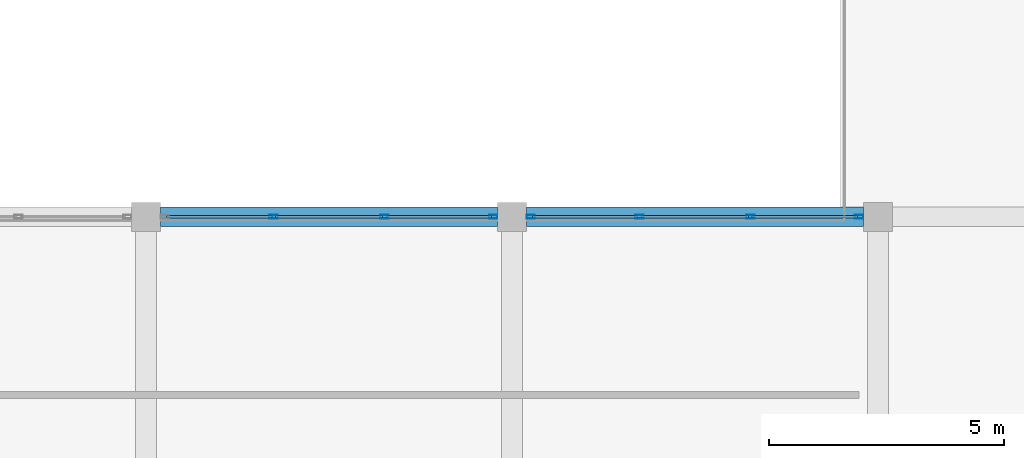
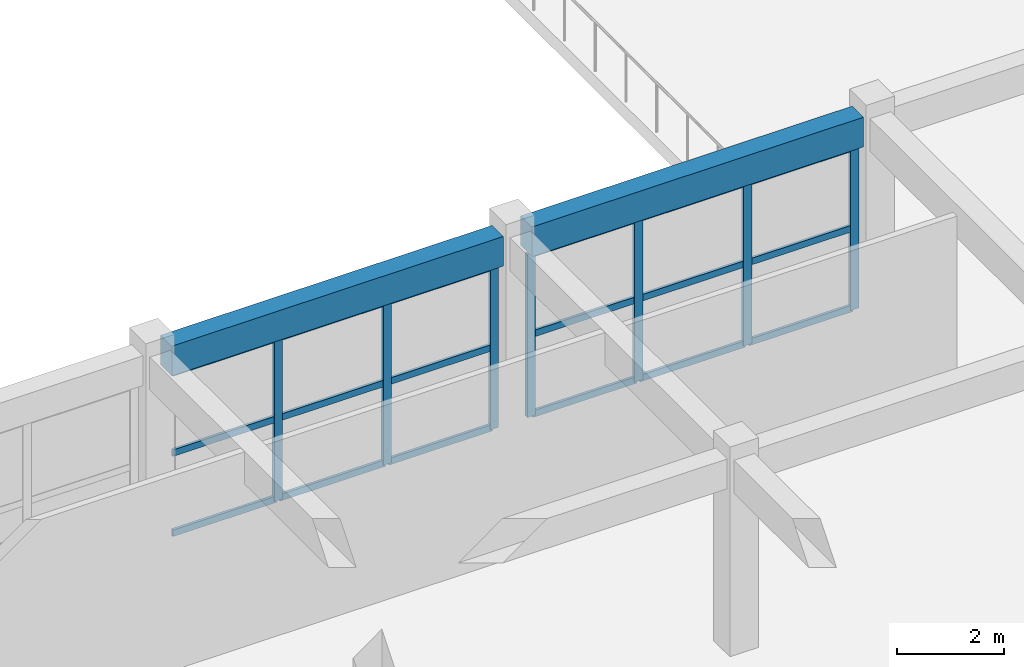
# One storey, part 98 of 167: 25 members, 2 beams, 2 elements without a shape of their own.
"""IFC4 building model written with IfcOpenShell, lengths in metres."""

from ifc_helpers import new_model, si_unit, direction, frame, origin, origin_2d, place, context, subcontext, project, spatial, rectangle, hollow_rectangle, extrude, material, layer, layer_set, material_profile, profile_set, type_object, element, aggregate, save


model = new_model("IFC4")

# Units and contexts
model_context = context("Model", 3, precision=1e-05, world=origin(), true_north=direction((0.0, 1.0)))
body_context = subcontext(model_context, "Body", "Model", "MODEL_VIEW")
ifc_project = project(units=[si_unit("LENGTHUNIT", "METRE"), si_unit("AREAUNIT", "SQUARE_METRE"), si_unit("VOLUMEUNIT", "CUBIC_METRE"), si_unit("PLANEANGLEUNIT", "RADIAN"), si_unit("MASSUNIT", "GRAM", prefix="KILO")], contexts=[model_context])

# Site, building, storey
site_placement = place(None, origin())
site = spatial("IfcSite", under=ifc_project, at=site_placement, CompositionType="ELEMENT")
building_placement = place(site_placement, origin())
building = spatial("IfcBuilding", under=site, at=building_placement, Name="Zizhar Promenade General Hospital", CompositionType="ELEMENT")
storey_placement = place(building_placement, frame((0.0, 0.0, 9.60009765625)))
storey = spatial("IfcBuildingStorey", under=building, at=storey_placement, Name="L02", CompositionType="ELEMENT", Elevation=9.60009765625)

# Beams
ifc_material_1 = material(Name="Concrete C35/45", Category="concrete")
ifc_material_profile_1 = material_profile(ifc_material_1, rectangle(XDim=0.419921875, YDim=0.679931640625, at=origin_2d()))
ifc_profile_set_1 = profile_set([ifc_material_profile_1], Name="Concrete C35/45")
beam_type = type_object("IfcBeamType", Name="BM-RC-420x680", PredefinedType="JOIST", material=ifc_profile_set_1)
for number, where, z_axis, x_axis, name in (
    (1, (156.31005859375, 67.199951171875, 4.1298828125), (1.0, 0.0, 0.0), (0.0, 1.0, 0.0), "Grid Beam X L02 (20-8)"),
    (2, (164.110107421875, 67.199951171875, 4.1298828125), (1.0, 0.0, 0.0), (0.0, 1.0, 0.0), "Grid Beam X L02 (21-8)"),
):
    element("IfcBeam", number, at=place(storey_placement, frame(where, z_axis=z_axis, x_axis=x_axis)), inside=storey, type_object=beam_type, Name=name, PredefinedType="JOIST", context=body_context, shape_type="SweptSolid", body=[
        extrude(rectangle(XDim=0.419921875, YDim=0.679931640625, at=origin_2d()), origin(), (0.0, 0.0, 1.0), 7.179931640625),
    ])

# Curtain wall, members
ifc_material_2 = material(Name="Anodised aluminium 6063-T6 and low-E glass", Category="aluminium")
ifc_layer = layer(ifc_material_2, 0.159912109375)
ifc_layer_set = layer_set([ifc_layer], Name="Anodised aluminium 6063-T6 and low-E glass")
curtain_wall_type = type_object("IfcCurtainWallType", Name="CW-CLN-CRT", PredefinedType="NOTDEFINED", material=ifc_layer_set)
curtain_wall_1_placement = place(storey_placement, origin())
curtain_wall_1 = element("IfcCurtainWall", 3, at=curtain_wall_1_placement, inside=storey, type_object=curtain_wall_type, Name="East Light Court South Glazing L02-20", PredefinedType="NOTDEFINED")
ifc_material_3 = material(Name="Anodised aluminium 6063-T6", Category="aluminium")
ifc_material_profile_2 = material_profile(ifc_material_3, hollow_rectangle(XDim=0.080078125, YDim=0.179931640625, WallThickness=0.0048828125, at=origin_2d()))
ifc_profile_set_2 = profile_set([ifc_material_profile_2], Name="Anodised aluminium 6063-T6")
member_type_1 = type_object("IfcMemberType", Name="CWM-ALU-180x80", PredefinedType="MULLION", material=ifc_profile_set_2)
member_1_placement = place(storey_placement, frame((158.719970703125, 67.199951171875, 0.0), z_axis=(0.0, 0.0, 1.0), x_axis=(0.0, 1.0, 0.0)))
member_1 = element("IfcMember", 4, at=member_1_placement, type_object=member_type_1, Name="CW-10 mullion 2", PredefinedType="MULLION", context=body_context, shape_type="SweptSolid", body=[
    extrude(hollow_rectangle(XDim=0.080078125, YDim=0.179931640625, WallThickness=0.0048828125, at=origin_2d()), origin(), (0.0, 0.0, 1.0), 3.72998046875),
])
member_2_placement = place(storey_placement, frame((161.080078125, 67.199951171875, 0.0), z_axis=(0.0, 0.0, 1.0), x_axis=(0.0, 1.0, 0.0)))
member_2 = element("IfcMember", 5, at=member_2_placement, type_object=member_type_1, Name="CW-10 mullion 3", PredefinedType="MULLION", context=body_context, shape_type="SweptSolid", body=[
    extrude(hollow_rectangle(XDim=0.080078125, YDim=0.179931640625, WallThickness=0.0048828125, at=origin_2d()), origin(), (0.0, 0.0, 1.0), 3.72998046875),
])
member_3_placement = place(storey_placement, frame((163.39990234375, 67.199951171875, 0.0), z_axis=(0.0, 0.0, 1.0), x_axis=(0.0, 1.0, 0.0)))
member_3 = element("IfcMember", 6, at=member_3_placement, type_object=member_type_1, Name="CW-10 mullion 4", PredefinedType="MULLION", context=body_context, shape_type="SweptSolid", body=[
    extrude(hollow_rectangle(XDim=0.080078125, YDim=0.179931640625, WallThickness=0.0048828125, at=origin_2d()), origin(), (0.0, 0.0, 1.0), 3.72998046875),
])

curtain_wall_2_placement = place(storey_placement, origin())
curtain_wall_2 = element("IfcCurtainWall", 7, at=curtain_wall_2_placement, inside=storey, type_object=curtain_wall_type, Name="East Light Court South Glazing L02-21", PredefinedType="NOTDEFINED")
member_4_placement = place(storey_placement, frame((164.199951171875, 67.199951171875, 0.0), z_axis=(0.0, 0.0, 1.0), x_axis=(0.0, 1.0, 0.0)))
member_4 = element("IfcMember", 8, at=member_4_placement, type_object=member_type_1, Name="CW-10 mullion 1", PredefinedType="MULLION", context=body_context, shape_type="SweptSolid", body=[
    extrude(hollow_rectangle(XDim=0.080078125, YDim=0.179931640625, WallThickness=0.0048828125, at=origin_2d()), origin(), (0.0, 0.0, 1.0), 3.72998046875),
])
member_5_placement = place(storey_placement, frame((166.52001953125, 67.199951171875, 0.0), z_axis=(0.0, 0.0, 1.0), x_axis=(0.0, 1.0, 0.0)))
member_5 = element("IfcMember", 9, at=member_5_placement, type_object=member_type_1, Name="CW-10 mullion 2", PredefinedType="MULLION", context=body_context, shape_type="SweptSolid", body=[
    extrude(hollow_rectangle(XDim=0.080078125, YDim=0.179931640625, WallThickness=0.0048828125, at=origin_2d()), origin(), (0.0, 0.0, 1.0), 3.72998046875),
])
member_6_placement = place(storey_placement, frame((168.8798828125, 67.199951171875, 0.0), z_axis=(0.0, 0.0, 1.0), x_axis=(0.0, 1.0, 0.0)))
member_6 = element("IfcMember", 10, at=member_6_placement, type_object=member_type_1, Name="CW-10 mullion 3", PredefinedType="MULLION", context=body_context, shape_type="SweptSolid", body=[
    extrude(hollow_rectangle(XDim=0.080078125, YDim=0.179931640625, WallThickness=0.0048828125, at=origin_2d()), origin(), (0.0, 0.0, 1.0), 3.72998046875),
])
member_7_placement = place(storey_placement, frame((171.199951171875, 67.199951171875, 0.0), z_axis=(0.0, 0.0, 1.0), x_axis=(0.0, 1.0, 0.0)))
member_7 = element("IfcMember", 11, at=member_7_placement, type_object=member_type_1, Name="CW-10 mullion 4", PredefinedType="MULLION", context=body_context, shape_type="SweptSolid", body=[
    extrude(hollow_rectangle(XDim=0.080078125, YDim=0.179931640625, WallThickness=0.0048828125, at=origin_2d()), origin(), (0.0, 0.0, 1.0), 3.72998046875),
])

# Member
ifc_material_4 = material(Name="Anodised aluminium 6063-T6", Category="aluminium")
ifc_material_profile_3 = material_profile(ifc_material_4, hollow_rectangle(XDim=0.06005859375, YDim=0.14990234375, WallThickness=0.00390625, at=origin_2d()))
ifc_profile_set_3 = profile_set([ifc_material_profile_3], Name="Anodised aluminium 6063-T6")
member_type_2 = type_object("IfcMemberType", Name="CWT-ALU-150x60", PredefinedType="USERDEFINED", material=ifc_profile_set_3)
member_8_placement = place(storey_placement, frame((156.43994140625, 67.199951171875, 0.02978515625), z_axis=(1.0, 0.0, 0.0), x_axis=(0.0, 1.0, 0.0)))
member_8 = element("IfcMember", 12, at=member_8_placement, type_object=member_type_2, Name="CW-10 transom 1.1", ObjectType="TRANSOM", PredefinedType="USERDEFINED", context=body_context, shape_type="SweptSolid", body=[
    extrude(hollow_rectangle(XDim=0.06005859375, YDim=0.14990234375, WallThickness=0.00390625, at=origin_2d()), origin(), (0.0, 0.0, 1.0), 2.239990234375),
])

member_9_placement = place(storey_placement, frame((156.43994140625, 67.199951171875, 1.864990234375), z_axis=(1.0, 0.0, 0.0), x_axis=(0.0, 1.0, 0.0)))
member_9 = element("IfcMember", 13, at=member_9_placement, type_object=member_type_2, Name="CW-10 transom 1.2", ObjectType="TRANSOM", PredefinedType="USERDEFINED", context=body_context, shape_type="SweptSolid", body=[
    extrude(hollow_rectangle(XDim=0.06005859375, YDim=0.14990234375, WallThickness=0.00390625, at=origin_2d()), origin(), (0.0, 0.0, 1.0), 2.239990234375),
])

member_10_placement = place(storey_placement, frame((156.43994140625, 67.199951171875, 3.699951171875), z_axis=(1.0, 0.0, 0.0), x_axis=(0.0, 1.0, 0.0)))
member_10 = element("IfcMember", 14, at=member_10_placement, type_object=member_type_2, Name="CW-10 transom 1.3", ObjectType="TRANSOM", PredefinedType="USERDEFINED", context=body_context, shape_type="SweptSolid", body=[
    extrude(hollow_rectangle(XDim=0.06005859375, YDim=0.14990234375, WallThickness=0.00390625, at=origin_2d()), origin(), (0.0, 0.0, 1.0), 2.239990234375),
])

member_11_placement = place(storey_placement, frame((158.760009765625, 67.199951171875, 0.02978515625), z_axis=(1.0, 0.0, 0.0), x_axis=(0.0, 1.0, 0.0)))
member_11 = element("IfcMember", 15, at=member_11_placement, type_object=member_type_2, Name="CW-10 transom 2.1", ObjectType="TRANSOM", PredefinedType="USERDEFINED", context=body_context, shape_type="SweptSolid", body=[
    extrude(hollow_rectangle(XDim=0.06005859375, YDim=0.14990234375, WallThickness=0.00390625, at=origin_2d()), origin(), (0.0, 0.0, 1.0), 2.280029296875),
])

member_12_placement = place(storey_placement, frame((158.760009765625, 67.199951171875, 1.864990234375), z_axis=(1.0, 0.0, 0.0), x_axis=(0.0, 1.0, 0.0)))
member_12 = element("IfcMember", 16, at=member_12_placement, type_object=member_type_2, Name="CW-10 transom 2.2", ObjectType="TRANSOM", PredefinedType="USERDEFINED", context=body_context, shape_type="SweptSolid", body=[
    extrude(hollow_rectangle(XDim=0.06005859375, YDim=0.14990234375, WallThickness=0.00390625, at=origin_2d()), origin(), (0.0, 0.0, 1.0), 2.280029296875),
])

member_13_placement = place(storey_placement, frame((158.760009765625, 67.199951171875, 3.699951171875), z_axis=(1.0, 0.0, 0.0), x_axis=(0.0, 1.0, 0.0)))
member_13 = element("IfcMember", 17, at=member_13_placement, type_object=member_type_2, Name="CW-10 transom 2.3", ObjectType="TRANSOM", PredefinedType="USERDEFINED", context=body_context, shape_type="SweptSolid", body=[
    extrude(hollow_rectangle(XDim=0.06005859375, YDim=0.14990234375, WallThickness=0.00390625, at=origin_2d()), origin(), (0.0, 0.0, 1.0), 2.280029296875),
])

member_14_placement = place(storey_placement, frame((161.1201171875, 67.199951171875, 0.02978515625), z_axis=(1.0, 0.0, 0.0), x_axis=(0.0, 1.0, 0.0)))
member_14 = element("IfcMember", 18, at=member_14_placement, type_object=member_type_2, Name="CW-10 transom 3.1", ObjectType="TRANSOM", PredefinedType="USERDEFINED", context=body_context, shape_type="SweptSolid", body=[
    extrude(hollow_rectangle(XDim=0.06005859375, YDim=0.14990234375, WallThickness=0.00390625, at=origin_2d()), origin(), (0.0, 0.0, 1.0), 2.239990234375),
])

member_15_placement = place(storey_placement, frame((161.1201171875, 67.199951171875, 1.864990234375), z_axis=(1.0, 0.0, 0.0), x_axis=(0.0, 1.0, 0.0)))
member_15 = element("IfcMember", 19, at=member_15_placement, type_object=member_type_2, Name="CW-10 transom 3.2", ObjectType="TRANSOM", PredefinedType="USERDEFINED", context=body_context, shape_type="SweptSolid", body=[
    extrude(hollow_rectangle(XDim=0.06005859375, YDim=0.14990234375, WallThickness=0.00390625, at=origin_2d()), origin(), (0.0, 0.0, 1.0), 2.239990234375),
])

member_16_placement = place(storey_placement, frame((161.1201171875, 67.199951171875, 3.699951171875), z_axis=(1.0, 0.0, 0.0), x_axis=(0.0, 1.0, 0.0)))
member_16 = element("IfcMember", 20, at=member_16_placement, type_object=member_type_2, Name="CW-10 transom 3.3", ObjectType="TRANSOM", PredefinedType="USERDEFINED", context=body_context, shape_type="SweptSolid", body=[
    extrude(hollow_rectangle(XDim=0.06005859375, YDim=0.14990234375, WallThickness=0.00390625, at=origin_2d()), origin(), (0.0, 0.0, 1.0), 2.239990234375),
])

aggregate(curtain_wall_1, [member_1, member_2, member_3, member_8, member_9, member_10, member_11, member_12, member_13, member_14, member_15, member_16])

member_17_placement = place(storey_placement, frame((164.239990234375, 67.199951171875, 0.02978515625), z_axis=(1.0, 0.0, 0.0), x_axis=(0.0, 1.0, 0.0)))
member_17 = element("IfcMember", 21, at=member_17_placement, type_object=member_type_2, Name="CW-10 transom 1.1", ObjectType="TRANSOM", PredefinedType="USERDEFINED", context=body_context, shape_type="SweptSolid", body=[
    extrude(hollow_rectangle(XDim=0.06005859375, YDim=0.14990234375, WallThickness=0.00390625, at=origin_2d()), origin(), (0.0, 0.0, 1.0), 2.239990234375),
])

member_18_placement = place(storey_placement, frame((164.239990234375, 67.199951171875, 1.864990234375), z_axis=(1.0, 0.0, 0.0), x_axis=(0.0, 1.0, 0.0)))
member_18 = element("IfcMember", 22, at=member_18_placement, type_object=member_type_2, Name="CW-10 transom 1.2", ObjectType="TRANSOM", PredefinedType="USERDEFINED", context=body_context, shape_type="SweptSolid", body=[
    extrude(hollow_rectangle(XDim=0.06005859375, YDim=0.14990234375, WallThickness=0.00390625, at=origin_2d()), origin(), (0.0, 0.0, 1.0), 2.239990234375),
])

member_19_placement = place(storey_placement, frame((164.239990234375, 67.199951171875, 3.699951171875), z_axis=(1.0, 0.0, 0.0), x_axis=(0.0, 1.0, 0.0)))
member_19 = element("IfcMember", 23, at=member_19_placement, type_object=member_type_2, Name="CW-10 transom 1.3", ObjectType="TRANSOM", PredefinedType="USERDEFINED", context=body_context, shape_type="SweptSolid", body=[
    extrude(hollow_rectangle(XDim=0.06005859375, YDim=0.14990234375, WallThickness=0.00390625, at=origin_2d()), origin(), (0.0, 0.0, 1.0), 2.239990234375),
])

member_20_placement = place(storey_placement, frame((166.56005859375, 67.199951171875, 0.02978515625), z_axis=(1.0, 0.0, 0.0), x_axis=(0.0, 1.0, 0.0)))
member_20 = element("IfcMember", 24, at=member_20_placement, type_object=member_type_2, Name="CW-10 transom 2.1", ObjectType="TRANSOM", PredefinedType="USERDEFINED", context=body_context, shape_type="SweptSolid", body=[
    extrude(hollow_rectangle(XDim=0.06005859375, YDim=0.14990234375, WallThickness=0.00390625, at=origin_2d()), origin(), (0.0, 0.0, 1.0), 2.280029296875),
])

member_21_placement = place(storey_placement, frame((166.56005859375, 67.199951171875, 1.864990234375), z_axis=(1.0, 0.0, 0.0), x_axis=(0.0, 1.0, 0.0)))
member_21 = element("IfcMember", 25, at=member_21_placement, type_object=member_type_2, Name="CW-10 transom 2.2", ObjectType="TRANSOM", PredefinedType="USERDEFINED", context=body_context, shape_type="SweptSolid", body=[
    extrude(hollow_rectangle(XDim=0.06005859375, YDim=0.14990234375, WallThickness=0.00390625, at=origin_2d()), origin(), (0.0, 0.0, 1.0), 2.280029296875),
])

member_22_placement = place(storey_placement, frame((166.56005859375, 67.199951171875, 3.699951171875), z_axis=(1.0, 0.0, 0.0), x_axis=(0.0, 1.0, 0.0)))
member_22 = element("IfcMember", 26, at=member_22_placement, type_object=member_type_2, Name="CW-10 transom 2.3", ObjectType="TRANSOM", PredefinedType="USERDEFINED", context=body_context, shape_type="SweptSolid", body=[
    extrude(hollow_rectangle(XDim=0.06005859375, YDim=0.14990234375, WallThickness=0.00390625, at=origin_2d()), origin(), (0.0, 0.0, 1.0), 2.280029296875),
])

member_23_placement = place(storey_placement, frame((168.919921875, 67.199951171875, 0.02978515625), z_axis=(1.0, 0.0, 0.0), x_axis=(0.0, 1.0, 0.0)))
member_23 = element("IfcMember", 27, at=member_23_placement, type_object=member_type_2, Name="CW-10 transom 3.1", ObjectType="TRANSOM", PredefinedType="USERDEFINED", context=body_context, shape_type="SweptSolid", body=[
    extrude(hollow_rectangle(XDim=0.06005859375, YDim=0.14990234375, WallThickness=0.00390625, at=origin_2d()), origin(), (0.0, 0.0, 1.0), 2.239990234375),
])

member_24_placement = place(storey_placement, frame((168.919921875, 67.199951171875, 1.864990234375), z_axis=(1.0, 0.0, 0.0), x_axis=(0.0, 1.0, 0.0)))
member_24 = element("IfcMember", 28, at=member_24_placement, type_object=member_type_2, Name="CW-10 transom 3.2", ObjectType="TRANSOM", PredefinedType="USERDEFINED", context=body_context, shape_type="SweptSolid", body=[
    extrude(hollow_rectangle(XDim=0.06005859375, YDim=0.14990234375, WallThickness=0.00390625, at=origin_2d()), origin(), (0.0, 0.0, 1.0), 2.239990234375),
])

member_25_placement = place(storey_placement, frame((168.919921875, 67.199951171875, 3.699951171875), z_axis=(1.0, 0.0, 0.0), x_axis=(0.0, 1.0, 0.0)))
member_25 = element("IfcMember", 29, at=member_25_placement, type_object=member_type_2, Name="CW-10 transom 3.3", ObjectType="TRANSOM", PredefinedType="USERDEFINED", context=body_context, shape_type="SweptSolid", body=[
    extrude(hollow_rectangle(XDim=0.06005859375, YDim=0.14990234375, WallThickness=0.00390625, at=origin_2d()), origin(), (0.0, 0.0, 1.0), 2.239990234375),
])

aggregate(curtain_wall_2, [member_4, member_5, member_6, member_7, member_17, member_18, member_19, member_20, member_21, member_22, member_23, member_24, member_25])

save(model, "model.ifc")
